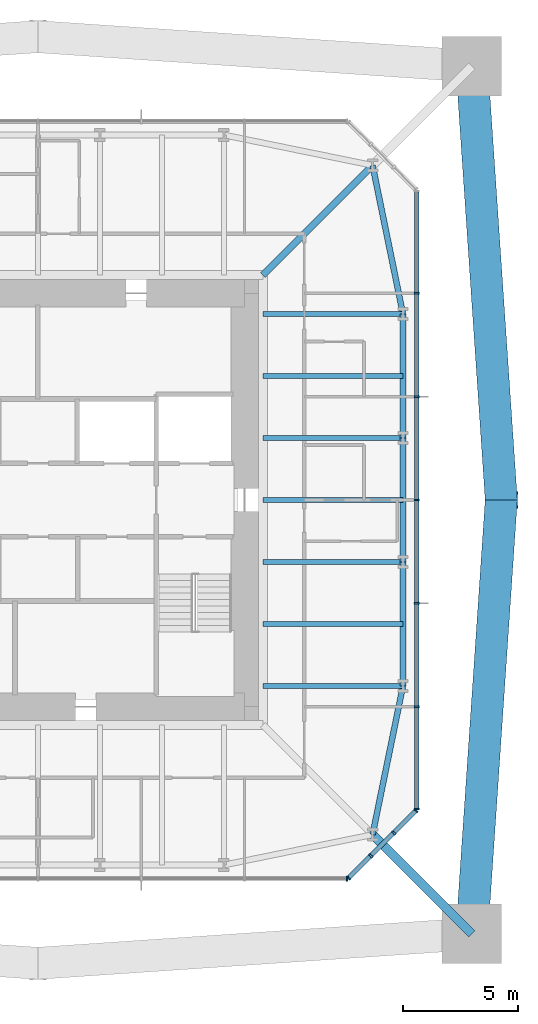
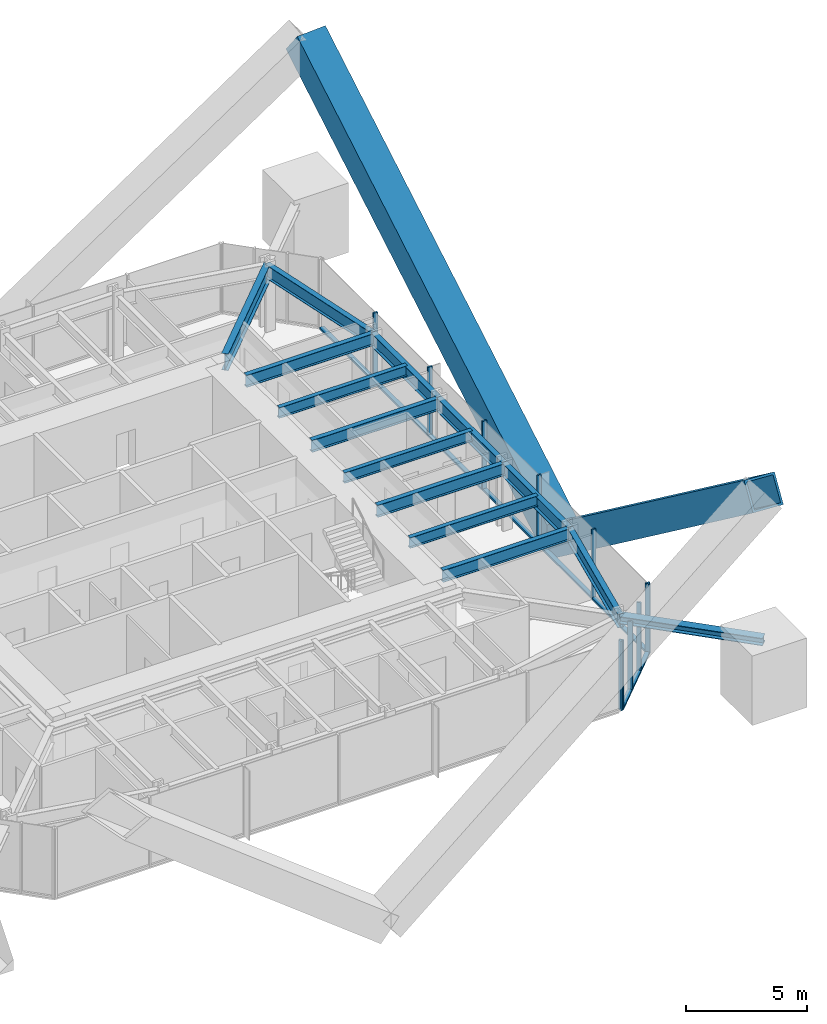
# One storey, part 5 of 11: 23 members, 13 beams, 3 elements without a shape of their own.
"""IFC4 building model written with IfcOpenShell, lengths in metres."""

from ifc_helpers import new_model, si_unit, direction, frame, origin, origin_2d, place, context, subcontext, project, spatial, rectangle, hollow_rectangle, i_section, extrude, material, material_profile, profile_set, type_object, element, aggregate, save


model = new_model("IFC4")

# Units and contexts
model_context = context("Model", 3, precision=1e-05, world=origin(), true_north=direction((0.0, 1.0)))
body_context = subcontext(model_context, "Body", "Model", "MODEL_VIEW")
ifc_project = project(units=[si_unit("LENGTHUNIT", "METRE"), si_unit("AREAUNIT", "SQUARE_METRE"), si_unit("VOLUMEUNIT", "CUBIC_METRE"), si_unit("PLANEANGLEUNIT", "RADIAN"), si_unit("MASSUNIT", "GRAM", prefix="KILO")], contexts=[model_context])

# Site, building, storey
site_placement = place(None, origin())
site = spatial("IfcSite", under=ifc_project, at=site_placement, CompositionType="ELEMENT")
building_placement = place(site_placement, origin())
building = spatial("IfcBuilding", under=site, at=building_placement, Name="Iwan Alto Co-Living Towers", CompositionType="ELEMENT")
storey_placement = place(building_placement, frame((0.0, 0.0, 229.0)))
storey = spatial("IfcBuildingStorey", under=building, at=storey_placement, Name="L62", CompositionType="ELEMENT", Elevation=229.0)

# Curtain wall, member
ifc_material_1 = material(Name="Bronze aluminium unitised frame", Category="aluminium")
curtain_wall_type_1 = type_object("IfcCurtainWallType", Name="CURTAIN WALL CW-A", PredefinedType="NOTDEFINED", material=ifc_material_1)
curtain_wall_1_placement = place(storey_placement, origin())
curtain_wall_1 = element("IfcCurtainWall", 1, at=curtain_wall_1_placement, inside=storey, type_object=curtain_wall_type_1, Name="T1 curtain wall S L62", PredefinedType="NOTDEFINED")
ifc_material_2 = material(Name="Aluminium 6063-T6 bronze anodised", Category="aluminium")
ifc_material_profile_1 = material_profile(ifc_material_2, rectangle(XDim=0.199951171875, YDim=0.080078125, at=origin_2d()), Name="AL 80X200")
ifc_profile_set_1 = profile_set([ifc_material_profile_1], Name="Aluminium 6063-T6 bronze anodised")
member_type_1 = type_object("IfcMemberType", Name="CW-A MULLION 80X200", PredefinedType="MULLION", material=ifc_profile_set_1)
member_1_placement = place(storey_placement, frame((13.4599609375, -16.5, 0.0), z_axis=(0.0, 0.0, 1.0), x_axis=(0.0, 1.0, 0.0)))
member_1 = element("IfcMember", 2, at=member_1_placement, type_object=member_type_1, Name="CW-A mullion 7", PredefinedType="MULLION", context=body_context, shape_type="SweptSolid", body=[
    extrude(rectangle(XDim=0.199951171875, YDim=0.080078125, at=origin_2d()), origin(), (0.0, 0.0, 1.0), 3.5),
])
aggregate(curtain_wall_1, [member_1])

# Curtain wall, members
curtain_wall_2_placement = place(storey_placement, origin())
curtain_wall_2 = element("IfcCurtainWall", 3, at=curtain_wall_2_placement, inside=storey, type_object=curtain_wall_type_1, Name="T1 curtain wall E L62", PredefinedType="NOTDEFINED")
member_2_placement = place(storey_placement, frame((16.5, -13.4599609375, 0.0), z_axis=(0.0, 0.0, 1.0), x_axis=(-1.0, 0.0, 0.0)))
member_2 = element("IfcMember", 4, at=member_2_placement, type_object=member_type_1, Name="CW-A mullion 1", PredefinedType="MULLION", context=body_context, shape_type="SweptSolid", body=[
    extrude(rectangle(XDim=0.199951171875, YDim=0.080078125, at=origin_2d()), origin(), (0.0, 0.0, 1.0), 3.5),
])
member_3_placement = place(storey_placement, frame((16.5, -9.0, 0.0), z_axis=(0.0, 0.0, 1.0), x_axis=(-1.0, 0.0, 0.0)))
member_3 = element("IfcMember", 5, at=member_3_placement, type_object=member_type_1, Name="CW-A mullion 2", PredefinedType="MULLION", context=body_context, shape_type="SweptSolid", body=[
    extrude(rectangle(XDim=0.199951171875, YDim=0.080078125, at=origin_2d()), origin(), (0.0, 0.0, 1.0), 3.5),
])
member_4_placement = place(storey_placement, frame((16.5, -4.5, 0.0), z_axis=(0.0, 0.0, 1.0), x_axis=(-1.0, 0.0, 0.0)))
member_4 = element("IfcMember", 6, at=member_4_placement, type_object=member_type_1, Name="CW-A mullion 3", PredefinedType="MULLION", context=body_context, shape_type="SweptSolid", body=[
    extrude(rectangle(XDim=0.199951171875, YDim=0.080078125, at=origin_2d()), origin(), (0.0, 0.0, 1.0), 3.5),
])
member_5_placement = place(storey_placement, frame((16.5, 0.0, 0.0), z_axis=(0.0, 0.0, 1.0), x_axis=(-1.0, 0.0, 0.0)))
member_5 = element("IfcMember", 7, at=member_5_placement, type_object=member_type_1, Name="CW-A mullion 4", PredefinedType="MULLION", context=body_context, shape_type="SweptSolid", body=[
    extrude(rectangle(XDim=0.199951171875, YDim=0.080078125, at=origin_2d()), origin(), (0.0, 0.0, 1.0), 3.5),
])
member_6_placement = place(storey_placement, frame((16.5, 4.5, 0.0), z_axis=(0.0, 0.0, 1.0), x_axis=(-1.0, 0.0, 0.0)))
member_6 = element("IfcMember", 8, at=member_6_placement, type_object=member_type_1, Name="CW-A mullion 5", PredefinedType="MULLION", context=body_context, shape_type="SweptSolid", body=[
    extrude(rectangle(XDim=0.199951171875, YDim=0.080078125, at=origin_2d()), origin(), (0.0, 0.0, 1.0), 3.5),
])
member_7_placement = place(storey_placement, frame((16.5, 9.0, 0.0), z_axis=(0.0, 0.0, 1.0), x_axis=(-1.0, 0.0, 0.0)))
member_7 = element("IfcMember", 9, at=member_7_placement, type_object=member_type_1, Name="CW-A mullion 6", PredefinedType="MULLION", context=body_context, shape_type="SweptSolid", body=[
    extrude(rectangle(XDim=0.199951171875, YDim=0.080078125, at=origin_2d()), origin(), (0.0, 0.0, 1.0), 3.5),
])
ifc_material_3 = material(Name="Aluminium 6063-T6 bronze anodised", Category="aluminium")
ifc_material_profile_2 = material_profile(ifc_material_3, rectangle(XDim=0.199951171875, YDim=0.10009765625, at=origin_2d()), Name="AL 200X100")
ifc_profile_set_2 = profile_set([ifc_material_profile_2], Name="Aluminium 6063-T6 bronze anodised")
member_type_2 = type_object("IfcMemberType", Name="CW-A TRANSOM 200X100", PredefinedType="USERDEFINED", material=ifc_profile_set_2)
member_8_placement = place(storey_placement, frame((16.5, -13.419921875, 0.050048828125), z_axis=(0.0, 1.0, 0.0), x_axis=(-1.0, 0.0, 0.0)))
member_8 = element("IfcMember", 10, at=member_8_placement, type_object=member_type_2, Name="CW-A transom 1.1", ObjectType="TRANSOM", PredefinedType="USERDEFINED", context=body_context, shape_type="SweptSolid", body=[
    extrude(rectangle(XDim=0.199951171875, YDim=0.10009765625, at=origin_2d()), origin(), (0.0, 0.0, 1.0), 4.3798828125),
])
member_9_placement = place(storey_placement, frame((16.5, -8.9599609375, 0.050048828125), z_axis=(0.0, 1.0, 0.0), x_axis=(-1.0, 0.0, 0.0)))
member_9 = element("IfcMember", 11, at=member_9_placement, type_object=member_type_2, Name="CW-A transom 2.1", ObjectType="TRANSOM", PredefinedType="USERDEFINED", context=body_context, shape_type="SweptSolid", body=[
    extrude(rectangle(XDim=0.199951171875, YDim=0.10009765625, at=origin_2d()), origin(), (0.0, 0.0, 1.0), 4.419921875),
])
member_10_placement = place(storey_placement, frame((16.5, -4.4599609375, 0.050048828125), z_axis=(0.0, 1.0, 0.0), x_axis=(-1.0, 0.0, 0.0)))
member_10 = element("IfcMember", 12, at=member_10_placement, type_object=member_type_2, Name="CW-A transom 3.1", ObjectType="TRANSOM", PredefinedType="USERDEFINED", context=body_context, shape_type="SweptSolid", body=[
    extrude(rectangle(XDim=0.199951171875, YDim=0.10009765625, at=origin_2d()), origin(), (0.0, 0.0, 1.0), 4.419921875),
])
member_11_placement = place(storey_placement, frame((16.5, 0.0400390625, 0.050048828125), z_axis=(0.0, 1.0, 0.0), x_axis=(-1.0, 0.0, 0.0)))
member_11 = element("IfcMember", 13, at=member_11_placement, type_object=member_type_2, Name="CW-A transom 4.1", ObjectType="TRANSOM", PredefinedType="USERDEFINED", context=body_context, shape_type="SweptSolid", body=[
    extrude(rectangle(XDim=0.199951171875, YDim=0.10009765625, at=origin_2d()), origin(), (0.0, 0.0, 1.0), 4.419921875),
])
member_12_placement = place(storey_placement, frame((16.5, 4.5400390625, 0.050048828125), z_axis=(0.0, 1.0, 0.0), x_axis=(-1.0, 0.0, 0.0)))
member_12 = element("IfcMember", 14, at=member_12_placement, type_object=member_type_2, Name="CW-A transom 5.1", ObjectType="TRANSOM", PredefinedType="USERDEFINED", context=body_context, shape_type="SweptSolid", body=[
    extrude(rectangle(XDim=0.199951171875, YDim=0.10009765625, at=origin_2d()), origin(), (0.0, 0.0, 1.0), 4.419921875),
])
member_13_placement = place(storey_placement, frame((16.5, 9.0400390625, 0.050048828125), z_axis=(0.0, 1.0, 0.0), x_axis=(-1.0, 0.0, 0.0)))
member_13 = element("IfcMember", 15, at=member_13_placement, type_object=member_type_2, Name="CW-A transom 6.1", ObjectType="TRANSOM", PredefinedType="USERDEFINED", context=body_context, shape_type="SweptSolid", body=[
    extrude(rectangle(XDim=0.199951171875, YDim=0.10009765625, at=origin_2d()), origin(), (0.0, 0.0, 1.0), 4.3798828125),
])
aggregate(curtain_wall_2, [member_2, member_3, member_4, member_5, member_6, member_7, member_8, member_9, member_10, member_11, member_12, member_13])

ifc_material_4 = material(Name="Bronze aluminium unitised frame", Category="aluminium")
curtain_wall_type_2 = type_object("IfcCurtainWallType", Name="CURTAIN WALL CW-B", PredefinedType="NOTDEFINED", material=ifc_material_4)
curtain_wall_3_placement = place(storey_placement, origin())
curtain_wall_3 = element("IfcCurtainWall", 16, at=curtain_wall_3_placement, inside=storey, type_object=curtain_wall_type_2, Name="T1 chamfer curtain wall SE L62", PredefinedType="NOTDEFINED")
ifc_material_5 = material(Name="Aluminium 6063-T6 bronze anodised", Category="aluminium")
ifc_material_profile_3 = material_profile(ifc_material_5, rectangle(XDim=0.199951171875, YDim=0.080078125, at=origin_2d()), Name="AL 80X200")
ifc_profile_set_3 = profile_set([ifc_material_profile_3], Name="Aluminium 6063-T6 bronze anodised")
member_type_3 = type_object("IfcMemberType", Name="CW-B MULLION 80X200", PredefinedType="MULLION", material=ifc_profile_set_3)
member_14_placement = place(storey_placement, frame((13.5283203125, -16.4716796875, 0.0), z_axis=(0.0, 0.0, 1.0), x_axis=(-0.707106781187, 0.707106781187, 0.0)))
member_14 = element("IfcMember", 17, at=member_14_placement, type_object=member_type_3, Name="CW-B mullion 1", PredefinedType="MULLION", context=body_context, shape_type="SweptSolid", body=[
    extrude(rectangle(XDim=0.199951171875, YDim=0.080078125, at=origin_2d()), origin(), (0.0, 0.0, 1.0), 3.5),
])
member_15_placement = place(storey_placement, frame((14.5, -15.5, 0.0), z_axis=(0.0, 0.0, 1.0), x_axis=(-0.707106781187, 0.707106781187, 0.0)))
member_15 = element("IfcMember", 18, at=member_15_placement, type_object=member_type_3, Name="CW-B mullion 2", PredefinedType="MULLION", context=body_context, shape_type="SweptSolid", body=[
    extrude(rectangle(XDim=0.199951171875, YDim=0.080078125, at=origin_2d()), origin(), (0.0, 0.0, 1.0), 3.5),
])
member_16_placement = place(storey_placement, frame((15.5, -14.5, 0.0), z_axis=(0.0, 0.0, 1.0), x_axis=(-0.707106781187, 0.707106781187, 0.0)))
member_16 = element("IfcMember", 19, at=member_16_placement, type_object=member_type_3, Name="CW-B mullion 3", PredefinedType="MULLION", context=body_context, shape_type="SweptSolid", body=[
    extrude(rectangle(XDim=0.199951171875, YDim=0.080078125, at=origin_2d()), origin(), (0.0, 0.0, 1.0), 3.5),
])
member_17_placement = place(storey_placement, frame((16.4716796875, -13.5283203125, 0.0), z_axis=(0.0, 0.0, 1.0), x_axis=(-0.707106781187, 0.707106781187, 0.0)))
member_17 = element("IfcMember", 20, at=member_17_placement, type_object=member_type_3, Name="CW-B mullion 4", PredefinedType="MULLION", context=body_context, shape_type="SweptSolid", body=[
    extrude(rectangle(XDim=0.199951171875, YDim=0.080078125, at=origin_2d()), origin(), (0.0, 0.0, 1.0), 3.5),
])
ifc_material_6 = material(Name="Aluminium 6063-T6 bronze anodised", Category="aluminium")
ifc_material_profile_4 = material_profile(ifc_material_6, rectangle(XDim=0.199951171875, YDim=0.10009765625, at=origin_2d()), Name="AL 200X100")
ifc_profile_set_4 = profile_set([ifc_material_profile_4], Name="Aluminium 6063-T6 bronze anodised")
member_type_4 = type_object("IfcMemberType", Name="CW-B TRANSOM 200X100", PredefinedType="USERDEFINED", material=ifc_profile_set_4)
member_18_placement = place(storey_placement, frame((13.556640625, -16.443359375, 0.050048828125), z_axis=(0.707106781187, 0.707106781187, 0.0), x_axis=(-0.707106781187, 0.707106781187, 0.0)))
member_18 = element("IfcMember", 21, at=member_18_placement, type_object=member_type_4, Name="CW-B transom 1.1", ObjectType="TRANSOM", PredefinedType="USERDEFINED", context=body_context, shape_type="SweptSolid", body=[
    extrude(rectangle(XDim=0.199951171875, YDim=0.10009765625, at=origin_2d()), origin(), (0.0, 0.0, 1.0), 1.2939453125),
])
member_19_placement = place(storey_placement, frame((14.5283203125, -15.4716796875, 0.050048828125), z_axis=(0.707106781187, 0.707106781187, 0.0), x_axis=(-0.707106781187, 0.707106781187, 0.0)))
member_19 = element("IfcMember", 22, at=member_19_placement, type_object=member_type_4, Name="CW-B transom 2.1", ObjectType="TRANSOM", PredefinedType="USERDEFINED", context=body_context, shape_type="SweptSolid", body=[
    extrude(rectangle(XDim=0.199951171875, YDim=0.10009765625, at=origin_2d()), origin(), (0.0, 0.0, 1.0), 1.334228515625),
])
member_20_placement = place(storey_placement, frame((15.5283203125, -14.4716796875, 0.050048828125), z_axis=(0.707106781187, 0.707106781187, 0.0), x_axis=(-0.707106781187, 0.707106781187, 0.0)))
member_20 = element("IfcMember", 23, at=member_20_placement, type_object=member_type_4, Name="CW-B transom 3.1", ObjectType="TRANSOM", PredefinedType="USERDEFINED", context=body_context, shape_type="SweptSolid", body=[
    extrude(rectangle(XDim=0.199951171875, YDim=0.10009765625, at=origin_2d()), origin(), (0.0, 0.0, 1.0), 1.2939453125),
])
aggregate(curtain_wall_3, [member_14, member_15, member_16, member_17, member_18, member_19, member_20])

# Beams
ifc_material_7 = material(Name="Steel ASTM A992 Gr 50", Category="steel")
ifc_material_profile_5 = material_profile(ifc_material_7, i_section(OverallWidth=0.2919921875, OverallDepth=0.8408203125, WebThickness=0.0146484375, FlangeThickness=0.021728515625, at=origin_2d()), Name="W33X130")
ifc_profile_set_5 = profile_set([ifc_material_profile_5], Name="Steel ASTM A992 Gr 50")
beam_type_1 = type_object("IfcBeamType", Name="T1 CORNER GIRDER W33X130", PredefinedType="BEAM", material=ifc_profile_set_5)
beam_1_placement = place(storey_placement, frame((14.57568359375, 14.57568359375, 2.849609375), z_axis=(-0.707106781187, -0.707106781187, 0.0), x_axis=(0.707106781187, -0.707106781187, 0.0)))
element("IfcBeam", 24, at=beam_1_placement, inside=storey, type_object=beam_type_1, Name="T1 corner girder CNE L63", PredefinedType="BEAM", context=body_context, shape_type="SweptSolid", body=[
    extrude(i_section(OverallWidth=0.2919921875, OverallDepth=0.8408203125, WebThickness=0.0146484375, FlangeThickness=0.021728515625, at=origin_2d()), origin(), (0.0, 0.0, 1.0), 6.7548828125),
])
ifc_material_8 = material(Name="Steel ASTM A992 Gr 50", Category="steel")
ifc_material_profile_6 = material_profile(ifc_material_8, i_section(OverallWidth=0.25390625, OverallDepth=0.683349609375, WebThickness=0.012451171875, FlangeThickness=0.018798828125, at=origin_2d()), Name="W27X94")
ifc_profile_set_6 = profile_set([ifc_material_profile_6], Name="Steel ASTM A992 Gr 50")
beam_type_2 = type_object("IfcBeamType", Name="T1 EDGE BEAM W27X94", PredefinedType="BEAM", material=ifc_profile_set_6)
beam_2_placement = place(storey_placement, frame((14.57568359375, -14.57568359375, 2.928466796875), z_axis=(0.200347889618, 0.979724820103, 0.0), x_axis=(-0.979724820103, 0.200347889618, 0.0)))
element("IfcBeam", 25, at=beam_2_placement, inside=storey, type_object=beam_type_2, Name="T1 edge beam CSE L63", PredefinedType="BEAM", context=body_context, shape_type="SweptSolid", body=[
    extrude(i_section(OverallWidth=0.25390625, OverallDepth=0.683349609375, WebThickness=0.012451171875, FlangeThickness=0.018798828125, at=origin_2d()), origin(), (0.0, 0.0, 1.0), 6.609619140625),
])
beam_3_placement = place(storey_placement, frame((15.89990234375, -8.10009765625, 2.928466796875), z_axis=(0.0, 1.0, 0.0), x_axis=(-1.0, 0.0, 0.0)))
element("IfcBeam", 26, at=beam_3_placement, inside=storey, type_object=beam_type_2, Name="T1 edge beam E1 L63", PredefinedType="BEAM", context=body_context, shape_type="SweptSolid", body=[
    extrude(i_section(OverallWidth=0.25390625, OverallDepth=0.683349609375, WebThickness=0.012451171875, FlangeThickness=0.018798828125, at=origin_2d()), origin(), (0.0, 0.0, 1.0), 5.400146484375),
])
beam_4_placement = place(storey_placement, frame((15.89990234375, -2.699951171875, 2.928466796875), z_axis=(0.0, 1.0, 0.0), x_axis=(-1.0, 0.0, 0.0)))
element("IfcBeam", 27, at=beam_4_placement, inside=storey, type_object=beam_type_2, Name="T1 edge beam E2 L63", PredefinedType="BEAM", context=body_context, shape_type="SweptSolid", body=[
    extrude(i_section(OverallWidth=0.25390625, OverallDepth=0.683349609375, WebThickness=0.012451171875, FlangeThickness=0.018798828125, at=origin_2d()), origin(), (0.0, 0.0, 1.0), 5.39990234375),
])
beam_5_placement = place(storey_placement, frame((15.89990234375, 2.699951171875, 2.928466796875), z_axis=(0.0, 1.0, 0.0), x_axis=(-1.0, 0.0, 0.0)))
element("IfcBeam", 28, at=beam_5_placement, inside=storey, type_object=beam_type_2, Name="T1 edge beam E3 L63", PredefinedType="BEAM", context=body_context, shape_type="SweptSolid", body=[
    extrude(i_section(OverallWidth=0.25390625, OverallDepth=0.683349609375, WebThickness=0.012451171875, FlangeThickness=0.018798828125, at=origin_2d()), origin(), (0.0, 0.0, 1.0), 5.400146484375),
])
beam_6_placement = place(storey_placement, frame((15.89990234375, 8.10009765625, 2.928466796875), z_axis=(-0.200347889618, 0.979724820103, 0.0), x_axis=(-0.979724820103, -0.200347889618, 0.0)))
element("IfcBeam", 29, at=beam_6_placement, inside=storey, type_object=beam_type_2, Name="T1 edge beam E4 L63", PredefinedType="BEAM", context=body_context, shape_type="SweptSolid", body=[
    extrude(i_section(OverallWidth=0.25390625, OverallDepth=0.683349609375, WebThickness=0.012451171875, FlangeThickness=0.018798828125, at=origin_2d()), origin(), (0.0, 0.0, 1.0), 6.609619140625),
])

# Members
ifc_material_9 = material(Name="Steel ASTM A572 Gr 50", Category="steel")
ifc_material_profile_7 = material_profile(ifc_material_9, hollow_rectangle(XDim=1.39990234375, YDim=1.39990234375, WallThickness=0.10009765625, at=origin_2d()), Name="BOX 1400X1400X100")
ifc_profile_set_7 = profile_set([ifc_material_profile_7], Name="Steel ASTM A572 Gr 50")
member_type_5 = type_object("IfcMemberType", Name="T1 MEGA BRACE BOX 1400X1400X100", PredefinedType="BRACE", material=ifc_profile_set_7)
for number, where, z_axis, x_axis, name in (
    (30, (20.181640625, 0.0, -3.7158203125), (-0.054117989021, 0.797998095626, 0.600225193274), (-0.997708316186, -0.067661775131, 0.0), "T1 mega brace Z4A E 1 upper"),
    (31, (20.181640625, 0.0, -3.7158203125), (-0.054117989021, -0.797998095626, 0.600225193274), (0.997708316186, -0.067661775131, 0.0), "T1 mega brace Z4A E 2 upper"),
):
    element("IfcMember", number, at=place(storey_placement, frame(where, z_axis=z_axis, x_axis=x_axis)), inside=storey, type_object=member_type_5, Name=name, PredefinedType="BRACE", context=body_context, shape_type="SweptSolid", body=[
        extrude(hollow_rectangle(XDim=1.39990234375, YDim=1.39990234375, WallThickness=0.10009765625, at=origin_2d()), origin(), (0.0, 0.0, 1.0), 23.68408203125),
    ])
ifc_material_10 = material(Name="Steel ASTM A992 Gr 50", Category="steel")
ifc_material_profile_8 = material_profile(ifc_material_10, i_section(OverallWidth=0.393798828125, OverallDepth=0.3759765625, WebThickness=0.017333984375, FlangeThickness=0.027587890625, at=origin_2d()), Name="W14X145")
ifc_profile_set_8 = profile_set([ifc_material_profile_8], Name="Steel ASTM A992 Gr 50")
member_type_6 = type_object("IfcMemberType", Name="T1 MEGA COLUMN FLOOR TIE W14X145", PredefinedType="STRUT", material=ifc_profile_set_8)
member_21_placement = place(storey_placement, frame((18.89990234375, -18.89990234375, 3.08203125), z_axis=(-0.707106781187, 0.707106781187, 0.0), x_axis=(-0.707106781187, -0.707106781187, 0.0)))
element("IfcMember", 32, at=member_21_placement, inside=storey, type_object=member_type_6, Name="T1 mega column floor tie SE L63", PredefinedType="STRUT", context=body_context, shape_type="SweptSolid", body=[
    extrude(i_section(OverallWidth=0.393798828125, OverallDepth=0.3759765625, WebThickness=0.017333984375, FlangeThickness=0.027587890625, at=origin_2d()), origin(), (0.0, 0.0, 1.0), 6.115478515625),
])

# Beams
ifc_material_11 = material(Name="Steel ASTM A992 Gr 50", Category="steel")
ifc_material_profile_9 = material_profile(ifc_material_11, i_section(OverallWidth=0.228271484375, OverallDepth=0.607177734375, WebThickness=0.01123046875, FlangeThickness=0.017333984375, at=origin_2d()), Name="W24X76")
ifc_profile_set_9 = profile_set([ifc_material_profile_9], Name="Steel ASTM A992 Gr 50")
beam_type_3 = type_object("IfcBeamType", Name="T1 RADIAL BEAM W24X76", PredefinedType="BEAM", material=ifc_profile_set_9)
for number, where, z_axis, x_axis, name in (
    (33, (15.89990234375, -8.10009765625, 2.966552734375), (-1.0, 0.0, 0.0), (0.0, -1.0, 0.0), "T1 radial beam E1 L63"),
    (34, (15.89990234375, -2.699951171875, 2.966552734375), (-1.0, 0.0, 0.0), (0.0, -1.0, 0.0), "T1 radial beam E2 L63"),
    (35, (15.89990234375, 2.699951171875, 2.966552734375), (-1.0, 0.0, 0.0), (0.0, -1.0, 0.0), "T1 radial beam E3 L63"),
    (36, (15.89990234375, 8.10009765625, 2.966552734375), (-1.0, 0.0, 0.0), (0.0, -1.0, 0.0), "T1 radial beam E4 L63"),
):
    element("IfcBeam", number, at=place(storey_placement, frame(where, z_axis=z_axis, x_axis=x_axis)), inside=storey, type_object=beam_type_3, Name=name, PredefinedType="BEAM", context=body_context, shape_type="SweptSolid", body=[
        extrude(i_section(OverallWidth=0.228271484375, OverallDepth=0.607177734375, WebThickness=0.01123046875, FlangeThickness=0.017333984375, at=origin_2d()), origin(), (0.0, 0.0, 1.0), 6.1005859375),
    ])
ifc_material_12 = material(Name="Steel ASTM A992 Gr 50", Category="steel")
ifc_material_profile_10 = material_profile(ifc_material_12, i_section(OverallWidth=0.209228515625, OverallDepth=0.533447265625, WebThickness=0.01025390625, FlangeThickness=0.015625, at=origin_2d()), Name="W21X62")
ifc_profile_set_10 = profile_set([ifc_material_profile_10], Name="Steel ASTM A992 Gr 50")
beam_type_4 = type_object("IfcBeamType", Name="T1 SECONDARY BEAM W21X62", PredefinedType="JOIST", material=ifc_profile_set_10)
for number, where, z_axis, x_axis, name in (
    (37, (15.89990234375, -5.39990234375, 3.00341796875), (-1.0, 0.0, 0.0), (0.0, -1.0, 0.0), "T1 secondary beam E1 L63"),
    (38, (15.89990234375, 0.0, 3.00341796875), (-1.0, 0.0, 0.0), (0.0, -1.0, 0.0), "T1 secondary beam E2 L63"),
    (39, (15.89990234375, 5.39990234375, 3.00341796875), (-1.0, 0.0, 0.0), (0.0, -1.0, 0.0), "T1 secondary beam E3 L63"),
):
    element("IfcBeam", number, at=place(storey_placement, frame(where, z_axis=z_axis, x_axis=x_axis)), inside=storey, type_object=beam_type_4, Name=name, PredefinedType="JOIST", context=body_context, shape_type="SweptSolid", body=[
        extrude(i_section(OverallWidth=0.209228515625, OverallDepth=0.533447265625, WebThickness=0.01025390625, FlangeThickness=0.015625, at=origin_2d()), origin(), (0.0, 0.0, 1.0), 6.1005859375),
    ])

save(model, "model.ifc")
